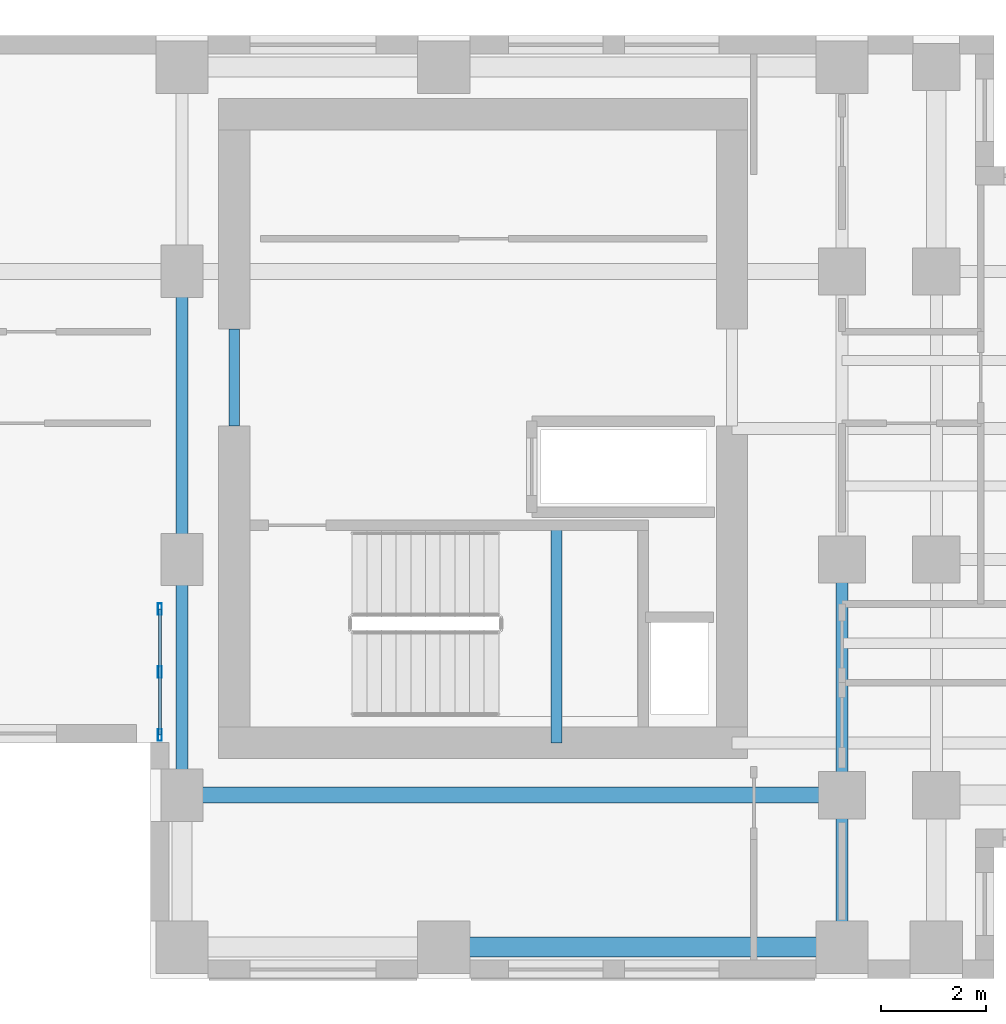
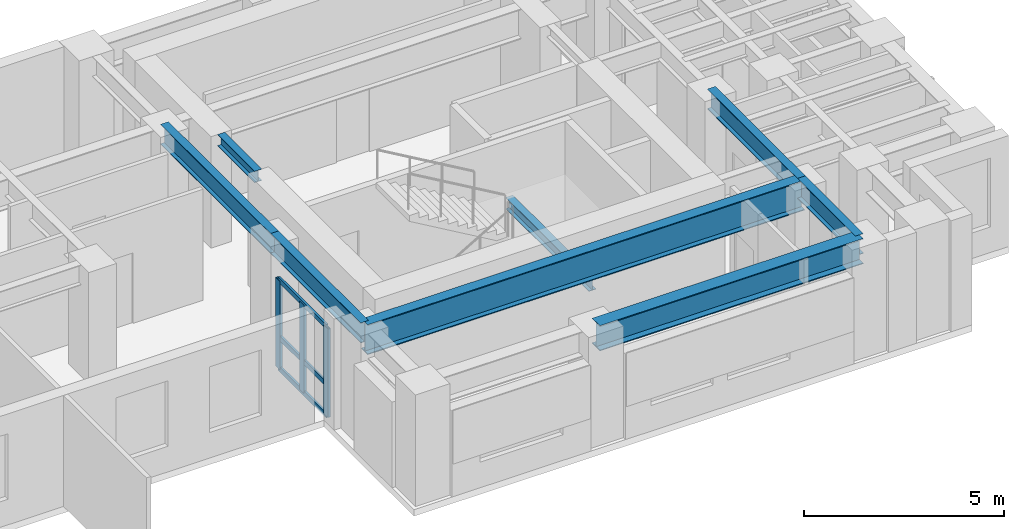
# One storey, part 2 of 12: 8 beams, 6 members, 1 element without a shape of its own.
"""IFC4 building model written with IfcOpenShell, lengths in metres."""

import ifcopenshell
import ifcopenshell.guid

model = None  # the IFC model being written
_history = None  # IfcOwnerHistory: only IFC2X3 demands one
_inside = {}  # id of a spatial element -> (the spatial element, [elements in it])
_under = {}  # id of a project, library or spatial element -> (it, [spatial elements below it])
_declared = {}  # id of a project -> (the project, [libraries it declares])
_typed = {}  # id of a type object -> (the type object, [elements of that type])
_made_of = {}  # id of a material, layer set ... -> (it, [elements and type objects made of it])


def new_model(schema):
    """Start an empty IFC model of exactly this schema.

    Asked for "IFC4X3", IfcOpenShell would pick the latest addendum, in which some entities
    have other attributes; the version numbers below select the first issue.
    IFC2X3 requires an IfcOwnerHistory on every rooted entity: one is made here for all.
    """
    global model, _history
    if schema == "IFC4X3":
        model = ifcopenshell.file(schema_version=(4, 3, 0, 0))
    else:
        model = ifcopenshell.file(schema=schema)
    _inside.clear()
    _under.clear()
    _declared.clear()
    _typed.clear()
    _made_of.clear()
    _history = None
    if model.schema == "IFC2X3":
        org = make("IfcOrganization", Name="unknown")
        user = make(
            "IfcPersonAndOrganization",
            ThePerson=make("IfcPerson", FamilyName="unknown"),
            TheOrganization=org,
        )
        app = make(
            "IfcApplication",
            ApplicationDeveloper=org,
            Version="unknown",
            ApplicationFullName="unknown",
            ApplicationIdentifier="unknown",
        )
        _history = make(
            "IfcOwnerHistory",
            OwningUser=user,
            OwningApplication=app,
            ChangeAction="ADDED",
            CreationDate=0,
        )
    return model


def make(cls, **values):
    """One entity of the class cls with the attributes given. An attribute that is None is left unset."""
    return model.create_entity(
        cls, **{name: value for name, value in values.items() if value is not None}
    )


def rooted(cls, **values):
    """An entity with a GlobalId (a new one), such as an element, a storey or a relation."""
    return make(cls, GlobalId=ifcopenshell.guid.new(), OwnerHistory=_history, **values)


def si_unit(unit_type, name, prefix=None):
    """IfcSIUnit, for example si_unit("LENGTHUNIT", "METRE", prefix="MILLI")."""
    return make("IfcSIUnit", UnitType=unit_type, Prefix=prefix, Name=name)


def assignment(units):
    """IfcUnitAssignment: the units of a project."""
    return None if units is None else make("IfcUnitAssignment", Units=units)


def point(xyz):
    """IfcCartesianPoint."""
    return None if xyz is None else make("IfcCartesianPoint", Coordinates=xyz)


def direction(xyz):
    """IfcDirection."""
    return None if xyz is None else make("IfcDirection", DirectionRatios=xyz)


def frame(location, z_axis=None, x_axis=None):
    """IfcAxis2Placement3D, a coordinate frame: its origin and axes. An axis left out is left unset."""
    return make(
        "IfcAxis2Placement3D",
        Location=point(location),
        Axis=direction(z_axis),
        RefDirection=direction(x_axis),
    )


def frame_2d(location, x_axis=None):
    """IfcAxis2Placement2D, a coordinate frame in the plane: its origin and x axis."""
    return make(
        "IfcAxis2Placement2D", Location=point(location), RefDirection=direction(x_axis)
    )


def origin():
    """The frame at (0, 0, 0) with its axes left unset."""
    return frame((0.0, 0.0, 0.0))


def origin_2d():
    """The frame at (0, 0) in the plane with its x axis left unset."""
    return frame_2d((0.0, 0.0))


def place(relative_to, where):
    """IfcLocalPlacement: puts the frame where relative to a parent placement (None: the world)."""
    return make(
        "IfcLocalPlacement", PlacementRelTo=relative_to, RelativePlacement=where
    )


def context(
    kind, dimensions, precision=None, world=None, true_north=None, identifier=None
):
    """IfcGeometricRepresentationContext, for example the 3D "Model" context."""
    return make(
        "IfcGeometricRepresentationContext",
        ContextIdentifier=identifier,
        ContextType=kind,
        CoordinateSpaceDimension=dimensions,
        Precision=precision,
        WorldCoordinateSystem=world,
        TrueNorth=true_north,
    )


def subcontext(parent, identifier, kind, view, scale=None):
    """IfcGeometricRepresentationSubContext, for example "Body" below "Model"."""
    return make(
        "IfcGeometricRepresentationSubContext",
        ContextIdentifier=identifier,
        ContextType=kind,
        ParentContext=parent,
        TargetScale=scale,
        TargetView=view,
    )


def project(units=None, contexts=None):
    """IfcProject with its units and contexts."""
    return rooted(
        "IfcProject",
        Name="project",
        RepresentationContexts=contexts,
        UnitsInContext=assignment(units),
    )


def spatial(cls, under=None, at=None, **own):
    """A site, building, storey or space (cls), placed at a placement, below another one or the project."""
    s = rooted(cls, ObjectPlacement=at, **own)
    if under is not None:
        _under.setdefault(under.id(), (under, []))[1].append(s)
    return s


def profile(cls, at=None, kind="AREA", **sizes):
    """A parametric profile (cls). Its sizes go by their IFC names, for example OverallWidth=200.0."""
    return make(cls, ProfileType=kind, Position=at, **sizes)


def hollow_rectangle(**sizes):
    """IfcRectangleHollowProfileDef."""
    return profile("IfcRectangleHollowProfileDef", **sizes)


def i_section(**sizes):
    """IfcIShapeProfileDef."""
    return profile("IfcIShapeProfileDef", **sizes)


def extrude(swept, where, along, depth):
    """IfcExtrudedAreaSolid: the profile swept, set in the frame where, extruded along a direction by depth."""
    return make(
        "IfcExtrudedAreaSolid",
        SweptArea=swept,
        Position=where,
        ExtrudedDirection=direction(along),
        Depth=depth,
    )


def shape(context_of_items, identifier, shape_type, items):
    """IfcShapeRepresentation: the items that make up one representation, for example the "Body"."""
    return make(
        "IfcShapeRepresentation",
        ContextOfItems=context_of_items,
        RepresentationIdentifier=identifier,
        RepresentationType=shape_type,
        Items=items,
    )


def source(mapping_origin, context_of_items, identifier, shape_type, items):
    """IfcRepresentationMap: a shape defined once, which mapped items show again and again."""
    return make(
        "IfcRepresentationMap",
        MappingOrigin=mapping_origin,
        MappedRepresentation=shape(context_of_items, identifier, shape_type, items),
    )


def transform(
    local_origin,
    x_axis=None,
    y_axis=None,
    z_axis=None,
    scale=None,
    scale2=None,
    scale3=None,
    uniform=True,
):
    """IfcCartesianTransformationOperator3D, or its non-uniform kind. x_axis, y_axis, z_axis: its Axis1, 2, 3."""
    if uniform:
        return make(
            "IfcCartesianTransformationOperator3D",
            Axis1=direction(x_axis),
            Axis2=direction(y_axis),
            LocalOrigin=point(local_origin),
            Scale=scale,
            Axis3=direction(z_axis),
        )
    return make(
        "IfcCartesianTransformationOperator3DnonUniform",
        Axis1=direction(x_axis),
        Axis2=direction(y_axis),
        LocalOrigin=point(local_origin),
        Scale=scale,
        Axis3=direction(z_axis),
        Scale2=scale2,
        Scale3=scale3,
    )


def mapped(mapping_source, mapping_target):
    """IfcMappedItem: shows the shape of a source again, moved by a transform."""
    return make(
        "IfcMappedItem", MappingSource=mapping_source, MappingTarget=mapping_target
    )


def material(Name=None, Category=None):
    """IfcMaterial."""
    return make("IfcMaterial", Name=Name, Category=Category)


def layer(
    of_material, thickness, ventilated=None, Name=None, Category=None, Priority=None
):
    """IfcMaterialLayer: one layer of a wall or slab, of a material (None: an air gap)."""
    return make(
        "IfcMaterialLayer",
        Material=of_material,
        LayerThickness=thickness,
        IsVentilated=ventilated,
        Name=Name,
        Category=Category,
        Priority=Priority,
    )


def layer_set(layers, Name=None):
    """IfcMaterialLayerSet."""
    return make("IfcMaterialLayerSet", MaterialLayers=layers, LayerSetName=Name)


def material_profile(
    of_material, cross_section, Name=None, Category=None, Priority=None
):
    """IfcMaterialProfile: a cross section and its material."""
    return make(
        "IfcMaterialProfile",
        Name=Name,
        Material=of_material,
        Profile=cross_section,
        Priority=Priority,
        Category=Category,
    )


def profile_set(profiles, Name=None, composite=None):
    """IfcMaterialProfileSet."""
    return make(
        "IfcMaterialProfileSet",
        Name=Name,
        MaterialProfiles=profiles,
        CompositeProfile=composite,
    )


def made_of(thing, what):
    """Note that an element or type object is made of a material, layer set ...; save() writes the relation."""
    if what is not None:
        _made_of.setdefault(what.id(), (what, []))[1].append(thing)
    return thing


def type_object(cls, material=None, **own):
    """A type object (cls), such as IfcWallType, which elements share."""
    return made_of(rooted(cls, **own), material)


def element(
    cls,
    number,
    at=None,
    inside=None,
    cuts=None,
    type_object=None,
    material=None,
    context=None,
    identifier="Body",
    shape_type=None,
    held_by="IfcProductDefinitionShape",
    body=None,
    shapes=None,
    **own,
):
    """One element of the class cls, such as IfcWall. Its Tag is "e" and its number.

    at: its placement. inside: the storey or other place that contains it. cuts: it is an
    opening in that element (IfcRelVoidsElement). A single representation is given by context,
    identifier, shape_type and body (its items); several are given by shapes. held_by: the class
    of the entity that holds the representations. save() writes the other relations.
    """
    e = rooted(cls, Tag="e%d" % number, ObjectPlacement=at, **own)
    if body is not None:
        shapes = [shape(context, identifier, shape_type, body)]
    if shapes is not None:
        e.Representation = make(held_by, Representations=shapes)
    if inside is not None:
        _inside.setdefault(inside.id(), (inside, []))[1].append(e)
    if cuts is not None:
        rooted(
            "IfcRelVoidsElement", RelatingBuildingElement=cuts, RelatedOpeningElement=e
        )
    if type_object is not None:
        _typed.setdefault(type_object.id(), (type_object, []))[1].append(e)
    return made_of(e, material)


def aggregate(whole, parts):
    """IfcRelAggregates: a whole, such as a stair, and the parts it consists of."""
    return rooted("IfcRelAggregates", RelatingObject=whole, RelatedObjects=parts)


def save(model, path):
    """Write the relations noted so far, then the file.

    IfcRelAggregates (storeys below a building ...), IfcRelContainedInSpatialStructure (elements
    in a storey), IfcRelDefinesByType, IfcRelAssociatesMaterial and IfcRelDeclares: one each for
    every whole, place, type object, material and project.
    """
    for whole, parts in _under.values():
        aggregate(whole, parts)
    for where, things in _inside.values():
        rooted(
            "IfcRelContainedInSpatialStructure",
            RelatedElements=things,
            RelatingStructure=where,
        )
    for kind, things in _typed.values():
        rooted("IfcRelDefinesByType", RelatedObjects=things, RelatingType=kind)
    for what, things in _made_of.values():
        rooted("IfcRelAssociatesMaterial", RelatedObjects=things, RelatingMaterial=what)
    for by, libraries in _declared.values():
        rooted("IfcRelDeclares", RelatingContext=by, RelatedDefinitions=libraries)
    model.write(path)


model = new_model("IFC4")

# Units and contexts
model_context = context("Model", 3, precision=1e-05, world=origin(), true_north=direction((0.0, 1.0)))
body_context = subcontext(model_context, "Body", "Model", "MODEL_VIEW")
ifc_project = project(units=[si_unit("LENGTHUNIT", "METRE"), si_unit("AREAUNIT", "SQUARE_METRE"), si_unit("VOLUMEUNIT", "CUBIC_METRE"), si_unit("PLANEANGLEUNIT", "RADIAN"), si_unit("MASSUNIT", "GRAM", prefix="KILO")], contexts=[model_context])

# Site, building, storey
site_placement = place(None, origin())
site = spatial("IfcSite", under=ifc_project, at=site_placement, CompositionType="ELEMENT")
building_placement = place(site_placement, origin())
building = spatial("IfcBuilding", under=site, at=building_placement, Name="Kharzan Plaza Tower", CompositionType="ELEMENT")
storey_placement = place(building_placement, frame((0.0, 0.0, 146.699951171875)))
storey = spatial("IfcBuildingStorey", under=building, at=storey_placement, Name="L39", CompositionType="ELEMENT", Elevation=146.699951171875)

# Beams
ifc_material_1 = material(Name="Steel S355", Category="steel")
ifc_material_profile_1 = material_profile(ifc_material_1, i_section(OverallWidth=0.205078125, OverallDepth=0.35400390625, WebThickness=0.009521484375, FlangeThickness=0.016845703125, at=origin_2d()), Name="W360x79")
ifc_profile_set_1 = profile_set([ifc_material_profile_1], Name="Steel S355")
beam_type_1 = type_object("IfcBeamType", Name="BM-LNT360", PredefinedType="LINTEL", material=ifc_profile_set_1)
shared_shape_1 = source(origin(), body_context, "Body", "SweptSolid", [
    extrude(i_section(OverallWidth=0.205078125, OverallDepth=0.35400390625, WebThickness=0.009521484375, FlangeThickness=0.016845703125, at=origin_2d()), origin(), (0.0, 0.0, 1.0), 1.849853515625),
])
beam_1_placement = place(storey_placement, frame((36.0, 10.550048828125, 3.22314453125), z_axis=(0.0, 1.0, 0.0), x_axis=(-1.0, 0.0, 0.0)))
element("IfcBeam", 1, at=beam_1_placement, inside=storey, type_object=beam_type_1, Name="L39 CORE-B coupling lintel LN1-WW", PredefinedType="LINTEL", context=body_context, shape_type="MappedRepresentation", body=[
    mapped(shared_shape_1, transform((0.0, 0.0, 0.0), x_axis=(1.0, 0.0, 0.0), y_axis=(0.0, 1.0, 0.0), z_axis=(0.0, 0.0, 1.0))),
])
shared_shape_2 = source(origin(), body_context, "Body", "SweptSolid", [
    extrude(i_section(OverallWidth=0.205078125, OverallDepth=0.35400390625, WebThickness=0.009521484375, FlangeThickness=0.016845703125, at=origin_2d()), origin(), (0.0, 0.0, 1.0), 4.155029296875),
])
beam_2_placement = place(storey_placement, frame((42.14990234375, 4.5, 1.423095703125), z_axis=(0.0, 1.0, 0.0), x_axis=(-1.0, 0.0, 0.0)))
element("IfcBeam", 2, at=beam_2_placement, inside=storey, type_object=beam_type_1, Name="L39 Stair ST-3 Half-Landing Beam", PredefinedType="LINTEL", context=body_context, shape_type="MappedRepresentation", body=[
    mapped(shared_shape_2, transform((0.0, 0.0, 0.0), x_axis=(1.0, 0.0, 0.0), y_axis=(0.0, 1.0, 0.0), z_axis=(0.0, 0.0, 1.0))),
])
ifc_material_profile_2 = material_profile(ifc_material_1, i_section(OverallWidth=0.304931640625, OverallDepth=0.9189453125, WebThickness=0.017333984375, FlangeThickness=0.02783203125, at=origin_2d()), Name="W920x253")
ifc_profile_set_2 = profile_set([ifc_material_profile_2], Name="Steel S355")
beam_type_2 = type_object("IfcBeamType", Name="BM-FG920B", PredefinedType="BEAM", material=ifc_profile_set_2)
shared_shape_3 = source(origin(), body_context, "Body", "SweptSolid", [
    extrude(i_section(OverallWidth=0.304931640625, OverallDepth=0.9189453125, WebThickness=0.017333984375, FlangeThickness=0.02783203125, at=origin_2d()), origin(), (0.0, 0.0, 1.0), 12.60009765625),
])
beam_3_placement = place(storey_placement, frame((35.0, 3.5, 2.9404296875), z_axis=(1.0, 0.0, 0.0), x_axis=(0.0, 1.0, 0.0)))
element("IfcBeam", 3, at=beam_3_placement, inside=storey, type_object=beam_type_2, Name="L39 Primary Floor Girder", PredefinedType="BEAM", context=body_context, shape_type="MappedRepresentation", body=[
    mapped(shared_shape_3, transform((0.0, 0.0, 0.0), x_axis=(1.0, 0.0, 0.0), y_axis=(0.0, 1.0, 0.0), z_axis=(0.0, 0.0, 1.0))),
])

# Curtain wall, members
ifc_material_2 = material(Name="Unitised Bronze-Anodized Aluminium and Low-E Glass", Category="aluminium")
ifc_layer = layer(ifc_material_2, 0.199951171875)
ifc_layer_set = layer_set([ifc_layer], Name="Unitised Bronze-Anodized Aluminium and Low-E Glass")
curtain_wall_type = type_object("IfcCurtainWallType", Name="CW-SLOT-3", PredefinedType="NOTDEFINED", material=ifc_layer_set)
curtain_wall_placement = place(storey_placement, origin())
curtain_wall = element("IfcCurtainWall", 4, at=curtain_wall_placement, inside=storey, type_object=curtain_wall_type, Name="L39 East Slot Recessed Spine Curtain Wall", PredefinedType="NOTDEFINED")
ifc_material_3 = material(Name="Anodized Bronze Aluminium", Category="aluminium")
ifc_material_profile_3 = material_profile(ifc_material_3, hollow_rectangle(XDim=0.074951171875, YDim=0.219970703125, WallThickness=0.00390625, at=origin_2d()), Name="ALU-M220x75x4")
ifc_profile_set_3 = profile_set([ifc_material_profile_3], Name="Anodized Bronze Aluminium")
member_type_1 = type_object("IfcMemberType", Name="MEM-CW-MUL200", PredefinedType="MULLION", material=ifc_profile_set_3)
shared_shape_4 = source(origin(), body_context, "Body", "SweptSolid", [
    extrude(hollow_rectangle(XDim=0.074951171875, YDim=0.219970703125, WallThickness=0.00390625, at=origin_2d()), origin(), (0.0, 0.0, 1.0), 2.699951171875),
])
member_1_placement = place(storey_placement, frame((34.580078125, 4.64990234375, 0.0), z_axis=(0.0, 0.0, 1.0), x_axis=(1.0, 0.0, 0.0)))
member_1 = element("IfcMember", 5, at=member_1_placement, type_object=member_type_1, Name="L39 Curtain-Wall Mullion 00", PredefinedType="MULLION", context=body_context, shape_type="MappedRepresentation", body=[
    mapped(shared_shape_4, transform((0.0, 0.0, 0.0), x_axis=(1.0, 0.0, 0.0), y_axis=(0.0, 1.0, 0.0), z_axis=(0.0, 0.0, 1.0))),
])
member_2_placement = place(storey_placement, frame((34.580078125, 5.85009765625, 0.0), z_axis=(0.0, 0.0, 1.0), x_axis=(1.0, 0.0, 0.0)))
member_2 = element("IfcMember", 6, at=member_2_placement, type_object=member_type_1, Name="L39 Curtain-Wall Mullion 01", PredefinedType="MULLION", context=body_context, shape_type="MappedRepresentation", body=[
    mapped(shared_shape_4, transform((0.0, 0.0, 0.0), x_axis=(1.0, 0.0, 0.0), y_axis=(0.0, 1.0, 0.0), z_axis=(0.0, 0.0, 1.0))),
])
member_3_placement = place(storey_placement, frame((34.580078125, 7.050048828125, 0.0), z_axis=(0.0, 0.0, 1.0), x_axis=(1.0, 0.0, 0.0)))
member_3 = element("IfcMember", 7, at=member_3_placement, type_object=member_type_1, Name="L39 Curtain-Wall Mullion 02", PredefinedType="MULLION", context=body_context, shape_type="MappedRepresentation", body=[
    mapped(shared_shape_4, transform((0.0, 0.0, 0.0), x_axis=(1.0, 0.0, 0.0), y_axis=(0.0, 1.0, 0.0), z_axis=(0.0, 0.0, 1.0))),
])
ifc_material_profile_4 = material_profile(ifc_material_3, hollow_rectangle(XDim=0.06005859375, YDim=0.14990234375, WallThickness=0.00341796875, at=origin_2d()), Name="ALU-T150x60x3.5")
ifc_profile_set_4 = profile_set([ifc_material_profile_4], Name="Anodized Bronze Aluminium")
member_type_2 = type_object("IfcMemberType", Name="MEM-CW-TRN150", PredefinedType="USERDEFINED", material=ifc_profile_set_4)
shared_shape_5 = source(origin(), body_context, "Body", "SweptSolid", [
    extrude(hollow_rectangle(XDim=0.06005859375, YDim=0.14990234375, WallThickness=0.00341796875, at=origin_2d()), origin(), (0.0, 0.0, 1.0), 2.400146484375),
])
member_4_placement = place(storey_placement, frame((34.580078125, 4.64990234375, 0.0), z_axis=(0.0, 1.0, 0.0), x_axis=(-1.0, 0.0, 0.0)))
member_4 = element("IfcMember", 8, at=member_4_placement, type_object=member_type_2, Name="L39 Curtain-Wall Transom 1", ObjectType="TRANSOM", PredefinedType="USERDEFINED", context=body_context, shape_type="MappedRepresentation", body=[
    mapped(shared_shape_5, transform((0.0, 0.0, 0.0), x_axis=(1.0, 0.0, 0.0), y_axis=(0.0, 1.0, 0.0), z_axis=(0.0, 0.0, 1.0))),
])
member_5_placement = place(storey_placement, frame((34.580078125, 4.64990234375, 0.949951171875), z_axis=(0.0, 1.0, 0.0), x_axis=(-1.0, 0.0, 0.0)))
member_5 = element("IfcMember", 9, at=member_5_placement, type_object=member_type_2, Name="L39 Curtain-Wall Transom 2", ObjectType="TRANSOM", PredefinedType="USERDEFINED", context=body_context, shape_type="MappedRepresentation", body=[
    mapped(shared_shape_5, transform((0.0, 0.0, 0.0), x_axis=(1.0, 0.0, 0.0), y_axis=(0.0, 1.0, 0.0), z_axis=(0.0, 0.0, 1.0))),
])
member_6_placement = place(storey_placement, frame((34.580078125, 4.64990234375, 2.699951171875), z_axis=(0.0, 1.0, 0.0), x_axis=(-1.0, 0.0, 0.0)))
member_6 = element("IfcMember", 10, at=member_6_placement, type_object=member_type_2, Name="L39 Curtain-Wall Transom 3", ObjectType="TRANSOM", PredefinedType="USERDEFINED", context=body_context, shape_type="MappedRepresentation", body=[
    mapped(shared_shape_5, transform((0.0, 0.0, 0.0), x_axis=(1.0, 0.0, 0.0), y_axis=(0.0, 1.0, 0.0), z_axis=(0.0, 0.0, 1.0))),
])
aggregate(curtain_wall, [member_1, member_2, member_3, member_4, member_5, member_6])

# Beams
ifc_material_profile_5 = material_profile(ifc_material_1, i_section(OverallWidth=0.22900390625, OverallDepth=0.612060546875, WebThickness=0.011962890625, FlangeThickness=0.01953125, at=origin_2d()), Name="W610x125")
ifc_profile_set_5 = profile_set([ifc_material_profile_5], Name="Steel S355")
beam_type_3 = type_object("IfcBeamType", Name="BM-FG610B", PredefinedType="BEAM", material=ifc_profile_set_5)
shared_shape_6 = source(origin(), body_context, "Body", "SweptSolid", [
    extrude(i_section(OverallWidth=0.22900390625, OverallDepth=0.612060546875, WebThickness=0.011962890625, FlangeThickness=0.01953125, at=origin_2d()), origin(), (0.0, 0.0, 1.0), 4.5),
])
for number, where, z_axis, x_axis, name in (
    (11, (35.0, 3.5, 3.093994140625), (0.0, 1.0, 0.0), (-1.0, 0.0, 0.0), "L39 Interior Frame Girder"),
    (12, (47.60009765625, 3.5, 3.093994140625), (0.0, 1.0, 0.0), (-1.0, 0.0, 0.0), "L39 Interior Frame Girder"),
):
    element("IfcBeam", number, at=place(storey_placement, frame(where, z_axis=z_axis, x_axis=x_axis)), inside=storey, type_object=beam_type_3, Name=name, PredefinedType="BEAM", context=body_context, shape_type="MappedRepresentation", body=[
        mapped(shared_shape_6, transform((0.0, 0.0, 0.0), x_axis=(1.0, 0.0, 0.0), y_axis=(0.0, 1.0, 0.0), z_axis=(0.0, 0.0, 1.0))),
    ])
shared_shape_7 = source(origin(), body_context, "Body", "SweptSolid", [
    extrude(i_section(OverallWidth=0.22900390625, OverallDepth=0.612060546875, WebThickness=0.011962890625, FlangeThickness=0.01953125, at=origin_2d()), origin(), (0.0, 0.0, 1.0), 5.5),
])
beam_4_placement = place(storey_placement, frame((35.0, 8.0, 3.093994140625), z_axis=(0.0, 1.0, 0.0), x_axis=(-1.0, 0.0, 0.0)))
element("IfcBeam", 13, at=beam_4_placement, inside=storey, type_object=beam_type_3, Name="L39 Interior Frame Girder", PredefinedType="BEAM", context=body_context, shape_type="MappedRepresentation", body=[
    mapped(shared_shape_7, transform((0.0, 0.0, 0.0), x_axis=(1.0, 0.0, 0.0), y_axis=(0.0, 1.0, 0.0), z_axis=(0.0, 0.0, 1.0))),
])
shared_shape_8 = source(origin(), body_context, "Body", "SweptSolid", [
    extrude(i_section(OverallWidth=0.22900390625, OverallDepth=0.612060546875, WebThickness=0.011962890625, FlangeThickness=0.01953125, at=origin_2d()), origin(), (0.0, 0.0, 1.0), 2.89990234375),
])
beam_5_placement = place(storey_placement, frame((47.60009765625, 0.60009765625, 3.093994140625), z_axis=(0.0, 1.0, 0.0), x_axis=(-1.0, 0.0, 0.0)))
element("IfcBeam", 14, at=beam_5_placement, inside=storey, type_object=beam_type_3, Name="L39 Interior Frame Girder", PredefinedType="BEAM", context=body_context, shape_type="MappedRepresentation", body=[
    mapped(shared_shape_8, transform((0.0, 0.0, 0.0), x_axis=(1.0, 0.0, 0.0), y_axis=(0.0, 1.0, 0.0), z_axis=(0.0, 0.0, 1.0))),
])
ifc_material_profile_6 = material_profile(ifc_material_1, i_section(OverallWidth=0.381103515625, OverallDepth=0.77294921875, WebThickness=0.0166015625, FlangeThickness=0.027587890625, at=origin_2d()), Name="W760x257")
ifc_profile_set_6 = profile_set([ifc_material_profile_6], Name="Steel S355")
beam_type_4 = type_object("IfcBeamType", Name="BM-SP760A", PredefinedType="SPANDREL", material=ifc_profile_set_6)
shared_shape_9 = source(origin(), body_context, "Body", "SweptSolid", [
    extrude(i_section(OverallWidth=0.381103515625, OverallDepth=0.77294921875, WebThickness=0.0166015625, FlangeThickness=0.027587890625, at=origin_2d()), origin(), (0.0, 0.0, 1.0), 7.60009765625),
])
beam_6_placement = place(storey_placement, frame((40.0, 0.60009765625, 3.013427734375), z_axis=(1.0, 0.0, 0.0), x_axis=(0.0, 1.0, 0.0)))
element("IfcBeam", 15, at=beam_6_placement, inside=storey, type_object=beam_type_4, Name="L39 Perimeter Tube Spandrel", PredefinedType="SPANDREL", context=body_context, shape_type="MappedRepresentation", body=[
    mapped(shared_shape_9, transform((0.0, 0.0, 0.0), x_axis=(1.0, 0.0, 0.0), y_axis=(0.0, 1.0, 0.0), z_axis=(0.0, 0.0, 1.0))),
])

save(model, "model.ifc")
